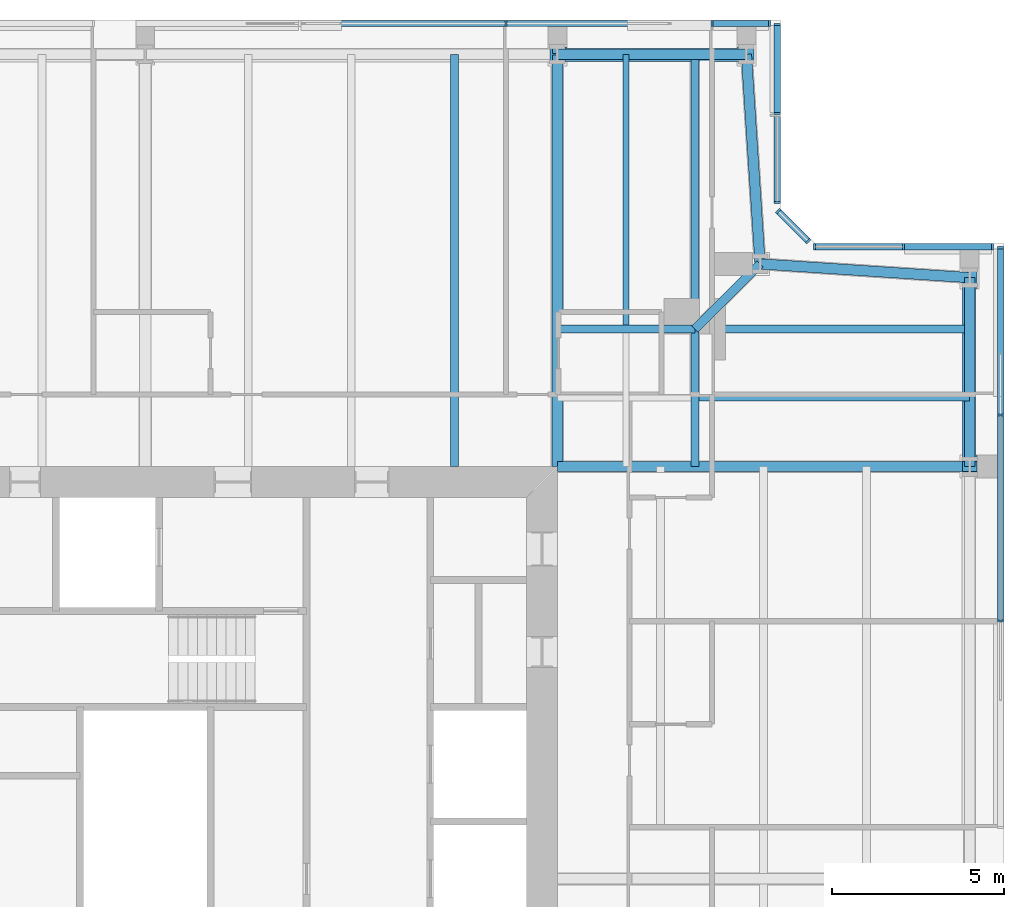
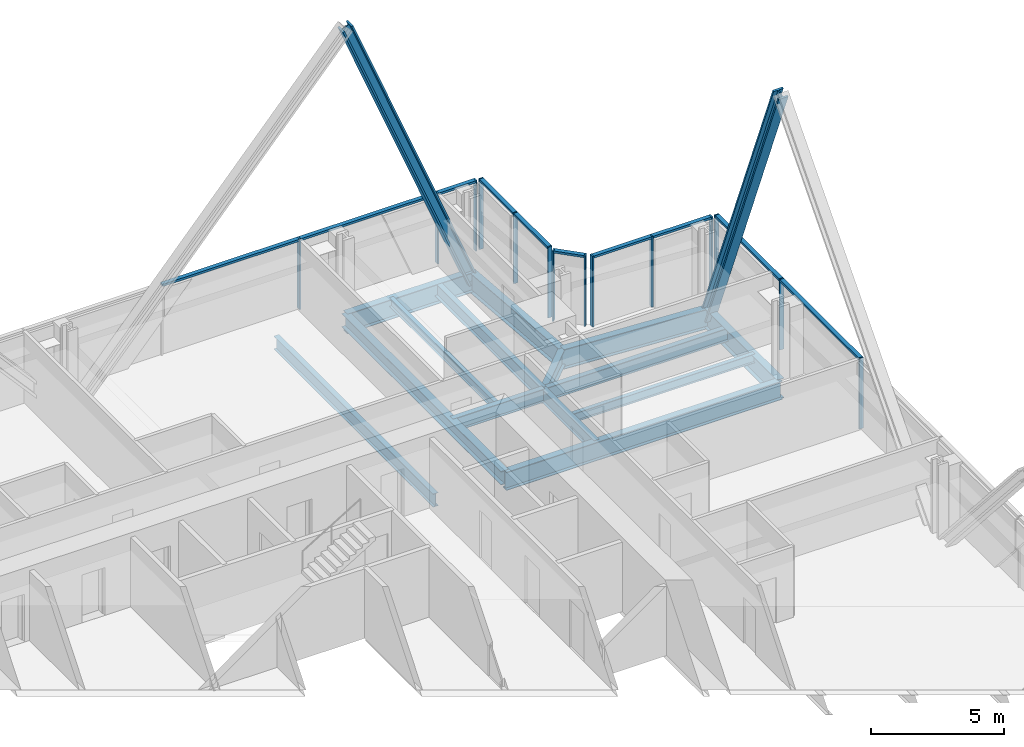
# One storey, part 9 of 20: 26 members, 14 beams, 5 elements without a shape of their own.
"""IFC4 building model written with IfcOpenShell, lengths in metres."""

from ifc_helpers import new_model, si_unit, direction, frame, origin, origin_2d, place, context, subcontext, project, spatial, rectangle, i_section, extrude, material, material_profile, profile_set, type_object, element, aggregate, save


model = new_model("IFC4")

# Units and contexts
model_context = context("Model", 3, precision=1e-05, world=origin(), true_north=direction((0.0, 1.0)))
body_context = subcontext(model_context, "Body", "Model", "MODEL_VIEW")
ifc_project = project(units=[si_unit("LENGTHUNIT", "METRE"), si_unit("AREAUNIT", "SQUARE_METRE"), si_unit("VOLUMEUNIT", "CUBIC_METRE"), si_unit("PLANEANGLEUNIT", "RADIAN"), si_unit("MASSUNIT", "GRAM", prefix="KILO")], contexts=[model_context])

# Site, building, storey
site_placement = place(None, origin())
site = spatial("IfcSite", under=ifc_project, at=site_placement, CompositionType="ELEMENT")
building_placement = place(site_placement, origin())
building = spatial("IfcBuilding", under=site, at=building_placement, Name="Fenwick Lantern Interchange", CompositionType="ELEMENT")
storey_placement = place(building_placement, frame((0.0, 0.0, 256.0)))
storey = spatial("IfcBuildingStorey", under=building, at=storey_placement, Name="L60", CompositionType="ELEMENT", Elevation=256.0)

# Beams
ifc_material_1 = material(Name="Steel ASTM A992 Grade 50", Category="steel")
ifc_material_profile_1 = material_profile(ifc_material_1, i_section(OverallWidth=0.3046875, OverallDepth=0.911865234375, WebThickness=0.015869140625, FlangeThickness=0.02392578125, at=origin_2d()), Name="W36X150")
ifc_profile_set_1 = profile_set([ifc_material_profile_1], Name="Steel ASTM A992 Grade 50")
beam_type_1 = type_object("IfcBeamType", Name="EDGE BEAM W36X150", PredefinedType="SPANDREL", material=ifc_profile_set_1)
beam_1_placement = place(storey_placement, frame((49.0, 37.0, -0.60595703125), z_axis=(0.0, 1.0, 0.0), x_axis=(-1.0, 0.0, 0.0)))
element("IfcBeam", 1, at=beam_1_placement, inside=storey, type_object=beam_type_1, Name="L60/FR/E/EB4", PredefinedType="SPANDREL", context=body_context, shape_type="SweptSolid", body=[
    extrude(i_section(OverallWidth=0.3046875, OverallDepth=0.911865234375, WebThickness=0.015869140625, FlangeThickness=0.02392578125, at=origin_2d()), origin(), (0.0, 0.0, 1.0), 5.5),
])
for number, where, z_axis, x_axis, name in (
    (2, (49.0, 42.5, -0.60595703125), (-0.997858060337, 0.065416293237, 0.0), (-0.065416293237, -0.997858060337, 0.0), "L60/FR/E/EBR1"),
    (3, (42.89990234375, 42.89990234375, -0.60595703125), (-0.065416293237, 0.997858060337, 0.0), (-0.997858060337, -0.065416293237, 0.0), "L60/FR/E/EBR2"),
):
    element("IfcBeam", number, at=place(storey_placement, frame(where, z_axis=z_axis, x_axis=x_axis)), inside=storey, type_object=beam_type_1, Name=name, PredefinedType="SPANDREL", context=body_context, shape_type="SweptSolid", body=[
        extrude(i_section(OverallWidth=0.3046875, OverallDepth=0.911865234375, WebThickness=0.015869140625, FlangeThickness=0.02392578125, at=origin_2d()), origin(), (0.0, 0.0, 1.0), 6.11328125),
    ])
beam_2_placement = place(storey_placement, frame((42.5, 49.0, -0.60595703125), z_axis=(-1.0, 0.0, 0.0), x_axis=(0.0, -1.0, 0.0)))
element("IfcBeam", 4, at=beam_2_placement, inside=storey, type_object=beam_type_1, Name="L60/FR/N/EB1", PredefinedType="SPANDREL", context=body_context, shape_type="SweptSolid", body=[
    extrude(i_section(OverallWidth=0.3046875, OverallDepth=0.911865234375, WebThickness=0.015869140625, FlangeThickness=0.02392578125, at=origin_2d()), origin(), (0.0, 0.0, 1.0), 5.5),
])

# Members
ifc_material_profile_2 = material_profile(ifc_material_1, i_section(OverallWidth=0.424072265625, OverallDepth=0.47509765625, WebThickness=0.0478515625, FlangeThickness=0.0771484375, at=origin_2d()), Name="W14X426")
ifc_profile_set_2 = profile_set([ifc_material_profile_2], Name="Steel ASTM A992 Grade 50")
member_type_1 = type_object("IfcMemberType", Name="FACADE BRACE W14X426", PredefinedType="BRACE", material=ifc_profile_set_2)
for number, where, z_axis, x_axis, name in (
    (5, (49.0, 42.5, -0.60595703125), (0.0, -0.374911520251, 0.927060597794), (1.0, 0.0, 0.0), "L60/FB/E/BE"),
    (6, (42.5, 49.0, -0.60595703125), (-0.374911520251, 0.0, 0.927060597794), (0.0, -1.0, 0.0), "L60/FB/N/AE"),
):
    element("IfcMember", number, at=place(storey_placement, frame(where, z_axis=z_axis, x_axis=x_axis)), inside=storey, type_object=member_type_1, Name=name, PredefinedType="BRACE", context=body_context, shape_type="SweptSolid", body=[
        extrude(i_section(OverallWidth=0.424072265625, OverallDepth=0.47509765625, WebThickness=0.0478515625, FlangeThickness=0.0771484375, at=origin_2d()), origin(), (0.0, 0.0, 1.0), 14.670166015625),
    ])

# Beam
ifc_material_profile_3 = material_profile(ifc_material_1, i_section(OverallWidth=0.22900390625, OverallDepth=0.612060546875, WebThickness=0.011962890625, FlangeThickness=0.01953125, at=origin_2d()), Name="W24X84")
ifc_profile_set_3 = profile_set([ifc_material_profile_3], Name="Steel ASTM A992 Grade 50")
beam_type_2 = type_object("IfcBeamType", Name="FLOOR BEAM W24X84", PredefinedType="BEAM", material=ifc_profile_set_3)
beam_3_placement = place(storey_placement, frame((34.0, 49.0, -0.4560546875), z_axis=(0.0, -1.0, 0.0), x_axis=(1.0, 0.0, 0.0)))
element("IfcBeam", 7, at=beam_3_placement, inside=storey, type_object=beam_type_2, Name="L60/FR/N/R02", PredefinedType="BEAM", context=body_context, shape_type="SweptSolid", body=[
    extrude(i_section(OverallWidth=0.22900390625, OverallDepth=0.612060546875, WebThickness=0.011962890625, FlangeThickness=0.01953125, at=origin_2d()), origin(), (0.0, 0.0, 1.0), 12.0),
])

# Curtain wall, members
ifc_material_2 = material(Name="Aluminium curtain wall frame", Category="aluminium")
curtain_wall_type = type_object("IfcCurtainWallType", Name="HOTEL CURTAIN WALL", PredefinedType="USERDEFINED", material=ifc_material_2)
curtain_wall_1_placement = place(storey_placement, origin())
curtain_wall_1 = element("IfcCurtainWall", 8, at=curtain_wall_1_placement, inside=storey, type_object=curtain_wall_type, Name="Hotel curtain wall 05", ObjectType="HOTEL CURTAIN WALL", PredefinedType="USERDEFINED")
ifc_material_3 = material(Name="Aluminium extrusion", Category="aluminium")
ifc_material_profile_4 = material_profile(ifc_material_3, rectangle(XDim=0.179931640625, YDim=0.06005859375, at=origin_2d()), Name="HOTEL CURTAIN WALL MULLION 60 X 180")
ifc_profile_set_4 = profile_set([ifc_material_profile_4], Name="Aluminium extrusion")
member_type_2 = type_object("IfcMemberType", Name="HOTEL CURTAIN WALL MULLION 60 X 180", PredefinedType="MULLION", material=ifc_profile_set_4)
member_1_placement = place(storey_placement, frame((49.89990234375, 32.5, 0.0), z_axis=(0.0, 0.0, 1.0), x_axis=(-1.0, 0.0, 0.0)))
member_1 = element("IfcMember", 9, at=member_1_placement, type_object=member_type_2, Name="L60/CW/05/M05", PredefinedType="MULLION", context=body_context, shape_type="SweptSolid", body=[
    extrude(rectangle(XDim=0.179931640625, YDim=0.06005859375, at=origin_2d()), origin(), (0.0, 0.0, 1.0), 3.25),
])
member_2_placement = place(storey_placement, frame((49.89990234375, 38.5, 0.0), z_axis=(0.0, 0.0, 1.0), x_axis=(-1.0, 0.0, 0.0)))
member_2 = element("IfcMember", 10, at=member_2_placement, type_object=member_type_2, Name="L60/CW/05/M06", PredefinedType="MULLION", context=body_context, shape_type="SweptSolid", body=[
    extrude(rectangle(XDim=0.179931640625, YDim=0.06005859375, at=origin_2d()), origin(), (0.0, 0.0, 1.0), 3.25),
])
member_3_placement = place(storey_placement, frame((49.89990234375, 43.3701171875, 0.0), z_axis=(0.0, 0.0, 1.0), x_axis=(-1.0, 0.0, 0.0)))
member_3 = element("IfcMember", 11, at=member_3_placement, type_object=member_type_2, Name="L60/CW/05/M07", PredefinedType="MULLION", context=body_context, shape_type="SweptSolid", body=[
    extrude(rectangle(XDim=0.179931640625, YDim=0.06005859375, at=origin_2d()), origin(), (0.0, 0.0, 1.0), 3.25),
])

curtain_wall_2_placement = place(storey_placement, origin())
curtain_wall_2 = element("IfcCurtainWall", 12, at=curtain_wall_2_placement, inside=storey, type_object=curtain_wall_type, Name="Hotel curtain wall 06", ObjectType="HOTEL CURTAIN WALL", PredefinedType="USERDEFINED")
member_4_placement = place(storey_placement, frame((49.669921875, 43.39990234375, 0.0), z_axis=(0.0, 0.0, 1.0), x_axis=(0.0, -1.0, 0.0)))
member_4 = element("IfcMember", 13, at=member_4_placement, type_object=member_type_2, Name="L60/CW/06/M00", PredefinedType="MULLION", context=body_context, shape_type="SweptSolid", body=[
    extrude(rectangle(XDim=0.179931640625, YDim=0.06005859375, at=origin_2d()), origin(), (0.0, 0.0, 1.0), 3.25),
])
member_5_placement = place(storey_placement, frame((47.079345703125, 43.39990234375, 0.0), z_axis=(0.0, 0.0, 1.0), x_axis=(0.0, -1.0, 0.0)))
member_5 = element("IfcMember", 14, at=member_5_placement, type_object=member_type_2, Name="L60/CW/06/M01", PredefinedType="MULLION", context=body_context, shape_type="SweptSolid", body=[
    extrude(rectangle(XDim=0.179931640625, YDim=0.06005859375, at=origin_2d()), origin(), (0.0, 0.0, 1.0), 3.25),
])
member_6_placement = place(storey_placement, frame((44.488525390625, 43.39990234375, 0.0), z_axis=(0.0, 0.0, 1.0), x_axis=(0.0, -1.0, 0.0)))
member_6 = element("IfcMember", 15, at=member_6_placement, type_object=member_type_2, Name="L60/CW/06/M02", PredefinedType="MULLION", context=body_context, shape_type="SweptSolid", body=[
    extrude(rectangle(XDim=0.179931640625, YDim=0.06005859375, at=origin_2d()), origin(), (0.0, 0.0, 1.0), 3.25),
])

curtain_wall_3_placement = place(storey_placement, origin())
curtain_wall_3 = element("IfcCurtainWall", 16, at=curtain_wall_3_placement, inside=storey, type_object=curtain_wall_type, Name="Hotel curtain wall 07", ObjectType="HOTEL CURTAIN WALL", PredefinedType="USERDEFINED")
member_7_placement = place(storey_placement, frame((44.2958984375, 43.562744140625, 0.0), z_axis=(0.0, 0.0, 1.0), x_axis=(-0.707106781187, -0.707106781187, 0.0)))
member_7 = element("IfcMember", 17, at=member_7_placement, type_object=member_type_2, Name="L60/CW/07/M00", PredefinedType="MULLION", context=body_context, shape_type="SweptSolid", body=[
    extrude(rectangle(XDim=0.179931640625, YDim=0.06005859375, at=origin_2d()), origin(), (0.0, 0.0, 1.0), 3.25),
])
member_8_placement = place(storey_placement, frame((43.421142578125, 44.437255859375, 0.0), z_axis=(0.0, 0.0, 1.0), x_axis=(-0.707106781187, -0.707106781187, 0.0)))
member_8 = element("IfcMember", 18, at=member_8_placement, type_object=member_type_2, Name="L60/CW/07/M01", PredefinedType="MULLION", context=body_context, shape_type="SweptSolid", body=[
    extrude(rectangle(XDim=0.179931640625, YDim=0.06005859375, at=origin_2d()), origin(), (0.0, 0.0, 1.0), 3.25),
])

curtain_wall_4_placement = place(storey_placement, origin())
curtain_wall_4 = element("IfcCurtainWall", 19, at=curtain_wall_4_placement, inside=storey, type_object=curtain_wall_type, Name="Hotel curtain wall 08", ObjectType="HOTEL CURTAIN WALL", PredefinedType="USERDEFINED")
member_9_placement = place(storey_placement, frame((43.39990234375, 44.6884765625, 0.0), z_axis=(0.0, 0.0, 1.0), x_axis=(-1.0, 0.0, 0.0)))
member_9 = element("IfcMember", 20, at=member_9_placement, type_object=member_type_2, Name="L60/CW/08/M00", PredefinedType="MULLION", context=body_context, shape_type="SweptSolid", body=[
    extrude(rectangle(XDim=0.179931640625, YDim=0.06005859375, at=origin_2d()), origin(), (0.0, 0.0, 1.0), 3.25),
])
member_10_placement = place(storey_placement, frame((43.39990234375, 47.279296875, 0.0), z_axis=(0.0, 0.0, 1.0), x_axis=(-1.0, 0.0, 0.0)))
member_10 = element("IfcMember", 21, at=member_10_placement, type_object=member_type_2, Name="L60/CW/08/M01", PredefinedType="MULLION", context=body_context, shape_type="SweptSolid", body=[
    extrude(rectangle(XDim=0.179931640625, YDim=0.06005859375, at=origin_2d()), origin(), (0.0, 0.0, 1.0), 3.25),
])
member_11_placement = place(storey_placement, frame((43.39990234375, 49.8701171875, 0.0), z_axis=(0.0, 0.0, 1.0), x_axis=(-1.0, 0.0, 0.0)))
member_11 = element("IfcMember", 22, at=member_11_placement, type_object=member_type_2, Name="L60/CW/08/M02", PredefinedType="MULLION", context=body_context, shape_type="SweptSolid", body=[
    extrude(rectangle(XDim=0.179931640625, YDim=0.06005859375, at=origin_2d()), origin(), (0.0, 0.0, 1.0), 3.25),
])

curtain_wall_5_placement = place(storey_placement, origin())
curtain_wall_5 = element("IfcCurtainWall", 23, at=curtain_wall_5_placement, inside=storey, type_object=curtain_wall_type, Name="Hotel curtain wall 09", ObjectType="HOTEL CURTAIN WALL", PredefinedType="USERDEFINED")
member_12_placement = place(storey_placement, frame((43.169921875, 49.89990234375, 0.0), z_axis=(0.0, 0.0, 1.0), x_axis=(0.0, -1.0, 0.0)))
member_12 = element("IfcMember", 24, at=member_12_placement, type_object=member_type_2, Name="L60/CW/09/M00", PredefinedType="MULLION", context=body_context, shape_type="SweptSolid", body=[
    extrude(rectangle(XDim=0.179931640625, YDim=0.06005859375, at=origin_2d()), origin(), (0.0, 0.0, 1.0), 3.25),
])
member_13_placement = place(storey_placement, frame((41.5, 49.89990234375, 0.0), z_axis=(0.0, 0.0, 1.0), x_axis=(0.0, -1.0, 0.0)))
member_13 = element("IfcMember", 25, at=member_13_placement, type_object=member_type_2, Name="L60/CW/09/M01", PredefinedType="MULLION", context=body_context, shape_type="SweptSolid", body=[
    extrude(rectangle(XDim=0.179931640625, YDim=0.06005859375, at=origin_2d()), origin(), (0.0, 0.0, 1.0), 3.25),
])
member_14_placement = place(storey_placement, frame((35.5, 49.89990234375, 0.0), z_axis=(0.0, 0.0, 1.0), x_axis=(0.0, -1.0, 0.0)))
member_14 = element("IfcMember", 26, at=member_14_placement, type_object=member_type_2, Name="L60/CW/09/M02", PredefinedType="MULLION", context=body_context, shape_type="SweptSolid", body=[
    extrude(rectangle(XDim=0.179931640625, YDim=0.06005859375, at=origin_2d()), origin(), (0.0, 0.0, 1.0), 3.25),
])

# Member
ifc_material_profile_5 = material_profile(ifc_material_3, rectangle(XDim=0.179931640625, YDim=0.10009765625, at=origin_2d()), Name="HOTEL CURTAIN WALL TRANSOM 100 X 180")
ifc_profile_set_5 = profile_set([ifc_material_profile_5], Name="Aluminium extrusion")
member_type_3 = type_object("IfcMemberType", Name="HOTEL CURTAIN WALL TRANSOM 100 X 180", PredefinedType="MULLION", material=ifc_profile_set_5)
member_15_placement = place(storey_placement, frame((49.89990234375, 32.530029296875, 3.199951171875), z_axis=(0.0, 1.0, 0.0), x_axis=(-1.0, 0.0, 0.0)))
member_15 = element("IfcMember", 27, at=member_15_placement, type_object=member_type_3, Name="L60/CW/05/T05", PredefinedType="MULLION", context=body_context, shape_type="SweptSolid", body=[
    extrude(rectangle(XDim=0.179931640625, YDim=0.10009765625, at=origin_2d()), origin(), (0.0, 0.0, 1.0), 5.93994140625),
])

member_16_placement = place(storey_placement, frame((49.89990234375, 38.530029296875, 3.199951171875), z_axis=(0.0, 1.0, 0.0), x_axis=(-1.0, 0.0, 0.0)))
member_16 = element("IfcMember", 28, at=member_16_placement, type_object=member_type_3, Name="L60/CW/05/T06", PredefinedType="MULLION", context=body_context, shape_type="SweptSolid", body=[
    extrude(rectangle(XDim=0.179931640625, YDim=0.10009765625, at=origin_2d()), origin(), (0.0, 0.0, 1.0), 4.81005859375),
])

aggregate(curtain_wall_1, [member_1, member_2, member_3, member_15, member_16])

member_17_placement = place(storey_placement, frame((49.639892578125, 43.39990234375, 3.199951171875), z_axis=(-1.0, 0.0, 0.0), x_axis=(0.0, -1.0, 0.0)))
member_17 = element("IfcMember", 29, at=member_17_placement, type_object=member_type_3, Name="L60/CW/06/T00", PredefinedType="MULLION", context=body_context, shape_type="SweptSolid", body=[
    extrude(rectangle(XDim=0.179931640625, YDim=0.10009765625, at=origin_2d()), origin(), (0.0, 0.0, 1.0), 2.530517578125),
])

member_18_placement = place(storey_placement, frame((47.04931640625, 43.39990234375, 3.199951171875), z_axis=(-1.0, 0.0, 0.0), x_axis=(0.0, -1.0, 0.0)))
member_18 = element("IfcMember", 30, at=member_18_placement, type_object=member_type_3, Name="L60/CW/06/T01", PredefinedType="MULLION", context=body_context, shape_type="SweptSolid", body=[
    extrude(rectangle(XDim=0.179931640625, YDim=0.10009765625, at=origin_2d()), origin(), (0.0, 0.0, 1.0), 2.53076171875),
])

aggregate(curtain_wall_2, [member_4, member_5, member_6, member_17, member_18])

member_19_placement = place(storey_placement, frame((44.274658203125, 43.583740234375, 3.199951171875), z_axis=(-0.707003077033, 0.707210470133, 0.0), x_axis=(-0.707210470133, -0.707003077033, 0.0)))
member_19 = element("IfcMember", 31, at=member_19_placement, type_object=member_type_3, Name="L60/CW/07/T00", PredefinedType="MULLION", context=body_context, shape_type="SweptSolid", body=[
    extrude(rectangle(XDim=0.179931640625, YDim=0.10009765625, at=origin_2d()), origin(), (0.0, 0.0, 1.0), 1.17724609375),
])

aggregate(curtain_wall_3, [member_7, member_8, member_19])

member_20_placement = place(storey_placement, frame((43.39990234375, 44.718505859375, 3.199951171875), z_axis=(0.0, 1.0, 0.0), x_axis=(-1.0, 0.0, 0.0)))
member_20 = element("IfcMember", 32, at=member_20_placement, type_object=member_type_3, Name="L60/CW/08/T00", PredefinedType="MULLION", context=body_context, shape_type="SweptSolid", body=[
    extrude(rectangle(XDim=0.179931640625, YDim=0.10009765625, at=origin_2d()), origin(), (0.0, 0.0, 1.0), 2.53076171875),
])

member_21_placement = place(storey_placement, frame((43.39990234375, 47.309326171875, 3.199951171875), z_axis=(0.0, 1.0, 0.0), x_axis=(-1.0, 0.0, 0.0)))
member_21 = element("IfcMember", 33, at=member_21_placement, type_object=member_type_3, Name="L60/CW/08/T01", PredefinedType="MULLION", context=body_context, shape_type="SweptSolid", body=[
    extrude(rectangle(XDim=0.179931640625, YDim=0.10009765625, at=origin_2d()), origin(), (0.0, 0.0, 1.0), 2.53076171875),
])

aggregate(curtain_wall_4, [member_9, member_10, member_11, member_20, member_21])

member_22_placement = place(storey_placement, frame((43.139892578125, 49.89990234375, 3.199951171875), z_axis=(-1.0, 0.0, 0.0), x_axis=(0.0, -1.0, 0.0)))
member_22 = element("IfcMember", 34, at=member_22_placement, type_object=member_type_3, Name="L60/CW/09/T00", PredefinedType="MULLION", context=body_context, shape_type="SweptSolid", body=[
    extrude(rectangle(XDim=0.179931640625, YDim=0.10009765625, at=origin_2d()), origin(), (0.0, 0.0, 1.0), 1.60986328125),
])

member_23_placement = place(storey_placement, frame((41.469970703125, 49.89990234375, 3.199951171875), z_axis=(-1.0, 0.0, 0.0), x_axis=(0.0, -1.0, 0.0)))
member_23 = element("IfcMember", 35, at=member_23_placement, type_object=member_type_3, Name="L60/CW/09/T01", PredefinedType="MULLION", context=body_context, shape_type="SweptSolid", body=[
    extrude(rectangle(XDim=0.179931640625, YDim=0.10009765625, at=origin_2d()), origin(), (0.0, 0.0, 1.0), 5.93994140625),
])

member_24_placement = place(storey_placement, frame((35.469970703125, 49.89990234375, 3.199951171875), z_axis=(-1.0, 0.0, 0.0), x_axis=(0.0, -1.0, 0.0)))
member_24 = element("IfcMember", 36, at=member_24_placement, type_object=member_type_3, Name="L60/CW/09/T02", PredefinedType="MULLION", context=body_context, shape_type="SweptSolid", body=[
    extrude(rectangle(XDim=0.179931640625, YDim=0.10009765625, at=origin_2d()), origin(), (0.0, 0.0, 1.0), 5.93994140625),
])

aggregate(curtain_wall_5, [member_12, member_13, member_14, member_22, member_23, member_24])

# Beams
ifc_material_profile_6 = material_profile(ifc_material_1, i_section(OverallWidth=0.177734375, OverallDepth=0.406494140625, WebThickness=0.0078125, FlangeThickness=0.012939453125, at=origin_2d()), Name="W16X40")
ifc_profile_set_6 = profile_set([ifc_material_profile_6], Name="Steel ASTM A992 Grade 50")
beam_type_3 = type_object("IfcBeamType", Name="INFILL BEAM W16X40", PredefinedType="JOIST", material=ifc_profile_set_6)
for number, where, z_axis, x_axis, name in (
    (37, (39.0, 49.0, -0.353271484375), (0.0, -1.0, 0.0), (1.0, 0.0, 0.0), "L60/FR/N/J1"),
    (38, (49.0, 39.0, -0.353271484375), (-1.0, 0.0, 0.0), (0.0, -1.0, 0.0), "L60/FR/N/J3"),
):
    element("IfcBeam", number, at=place(storey_placement, frame(where, z_axis=z_axis, x_axis=x_axis)), inside=storey, type_object=beam_type_3, Name=name, PredefinedType="JOIST", context=body_context, shape_type="SweptSolid", body=[
        extrude(i_section(OverallWidth=0.177734375, OverallDepth=0.406494140625, WebThickness=0.0078125, FlangeThickness=0.012939453125, at=origin_2d()), origin(), (0.0, 0.0, 1.0), 7.885498046875),
    ])
ifc_material_profile_7 = material_profile(ifc_material_1, i_section(OverallWidth=0.22900390625, OverallDepth=0.612060546875, WebThickness=0.011962890625, FlangeThickness=0.01953125, at=origin_2d()), Name="W24X84")
ifc_profile_set_7 = profile_set([ifc_material_profile_7], Name="Steel ASTM A992 Grade 50")
beam_type_4 = type_object("IfcBeamType", Name="MEGA COLUMN BEAM W24X84", PredefinedType="BEAM", material=ifc_profile_set_7)
for number, where, z_axis, x_axis, name in (
    (39, (41.0, 41.0, -0.4560546875), (0.0, 1.0, 0.0), (-1.0, 0.0, 0.0), "L60/FR/N/MB1"),
    (40, (41.0, 41.0, -0.4560546875), (1.0, 0.0, 0.0), (0.0, 1.0, 0.0), "L60/FR/N/MB2"),
):
    element("IfcBeam", number, at=place(storey_placement, frame(where, z_axis=z_axis, x_axis=x_axis)), inside=storey, type_object=beam_type_4, Name=name, PredefinedType="BEAM", context=body_context, shape_type="SweptSolid", body=[
        extrude(i_section(OverallWidth=0.22900390625, OverallDepth=0.612060546875, WebThickness=0.011962890625, FlangeThickness=0.01953125, at=origin_2d()), origin(), (0.0, 0.0, 1.0), 8.0),
    ])
for number, where, z_axis, x_axis, name in (
    (41, (41.0, 41.0, -0.4560546875), (-1.0, 0.0, 0.0), (0.0, -1.0, 0.0), "L60/FR/N/MB3"),
    (42, (41.0, 41.0, -0.4560546875), (0.0, -1.0, 0.0), (1.0, 0.0, 0.0), "L60/FR/N/MB4"),
):
    element("IfcBeam", number, at=place(storey_placement, frame(where, z_axis=z_axis, x_axis=x_axis)), inside=storey, type_object=beam_type_4, Name=name, PredefinedType="BEAM", context=body_context, shape_type="SweptSolid", body=[
        extrude(i_section(OverallWidth=0.22900390625, OverallDepth=0.612060546875, WebThickness=0.011962890625, FlangeThickness=0.01953125, at=origin_2d()), origin(), (0.0, 0.0, 1.0), 4.0),
    ])
ifc_material_profile_8 = material_profile(ifc_material_1, i_section(OverallWidth=0.32763671875, OverallDepth=0.622314453125, WebThickness=0.015380859375, FlangeThickness=0.0244140625, at=origin_2d()), Name="W24X131")
ifc_profile_set_8 = profile_set([ifc_material_profile_8], Name="Steel ASTM A992 Grade 50")
beam_type_5 = type_object("IfcBeamType", Name="MOMENT-CONNECTED GIRDER W24X131", PredefinedType="BEAM", material=ifc_profile_set_8)
beam_4_placement = place(storey_placement, frame((37.0, 49.0, -0.461181640625), z_axis=(0.0, -1.0, 0.0), x_axis=(1.0, 0.0, 0.0)))
element("IfcBeam", 43, at=beam_4_placement, inside=storey, type_object=beam_type_5, Name="L60/FR/N/R01", PredefinedType="BEAM", context=body_context, shape_type="SweptSolid", body=[
    extrude(i_section(OverallWidth=0.32763671875, OverallDepth=0.622314453125, WebThickness=0.015380859375, FlangeThickness=0.0244140625, at=origin_2d()), origin(), (0.0, 0.0, 1.0), 12.0),
])
ifc_material_profile_9 = material_profile(ifc_material_1, i_section(OverallWidth=0.2919921875, OverallDepth=0.845703125, WebThickness=0.015380859375, FlangeThickness=0.0244140625, at=origin_2d()), Name="W33X141")
ifc_profile_set_9 = profile_set([ifc_material_profile_9], Name="Steel ASTM A992 Grade 50")
beam_type_6 = type_object("IfcBeamType", Name="MOMENT-CONNECTED GIRDER W33X141", PredefinedType="BEAM", material=ifc_profile_set_9)
beam_5_placement = place(storey_placement, frame((49.0, 37.0, -0.572998046875), z_axis=(-1.0, 0.0, 0.0), x_axis=(0.0, -1.0, 0.0)))
element("IfcBeam", 44, at=beam_5_placement, inside=storey, type_object=beam_type_6, Name="L60/FR/E/R03", PredefinedType="BEAM", context=body_context, shape_type="SweptSolid", body=[
    extrude(i_section(OverallWidth=0.2919921875, OverallDepth=0.845703125, WebThickness=0.015380859375, FlangeThickness=0.0244140625, at=origin_2d()), origin(), (0.0, 0.0, 1.0), 12.0),
])
ifc_material_profile_10 = material_profile(ifc_material_1, i_section(OverallWidth=0.2666015625, OverallDepth=0.7568359375, WebThickness=0.013916015625, FlangeThickness=0.019287109375, at=origin_2d()), Name="W30X108")
ifc_profile_set_10 = profile_set([ifc_material_profile_10], Name="Steel ASTM A992 Grade 50")
beam_type_7 = type_object("IfcBeamType", Name="NOTCH BEAM W30X108", PredefinedType="BEAM", material=ifc_profile_set_10)
beam_6_placement = place(storey_placement, frame((41.0, 41.0, -0.528564453125), z_axis=(0.707106781187, 0.707106781187, 0.0), x_axis=(-0.707106781187, 0.707106781187, 0.0)))
element("IfcBeam", 45, at=beam_6_placement, inside=storey, type_object=beam_type_7, Name="L60/FR/N/TG", PredefinedType="BEAM", context=body_context, shape_type="SweptSolid", body=[
    extrude(i_section(OverallWidth=0.2666015625, OverallDepth=0.7568359375, WebThickness=0.013916015625, FlangeThickness=0.019287109375, at=origin_2d()), origin(), (0.0, 0.0, 1.0), 2.686767578125),
])

save(model, "model.ifc")
